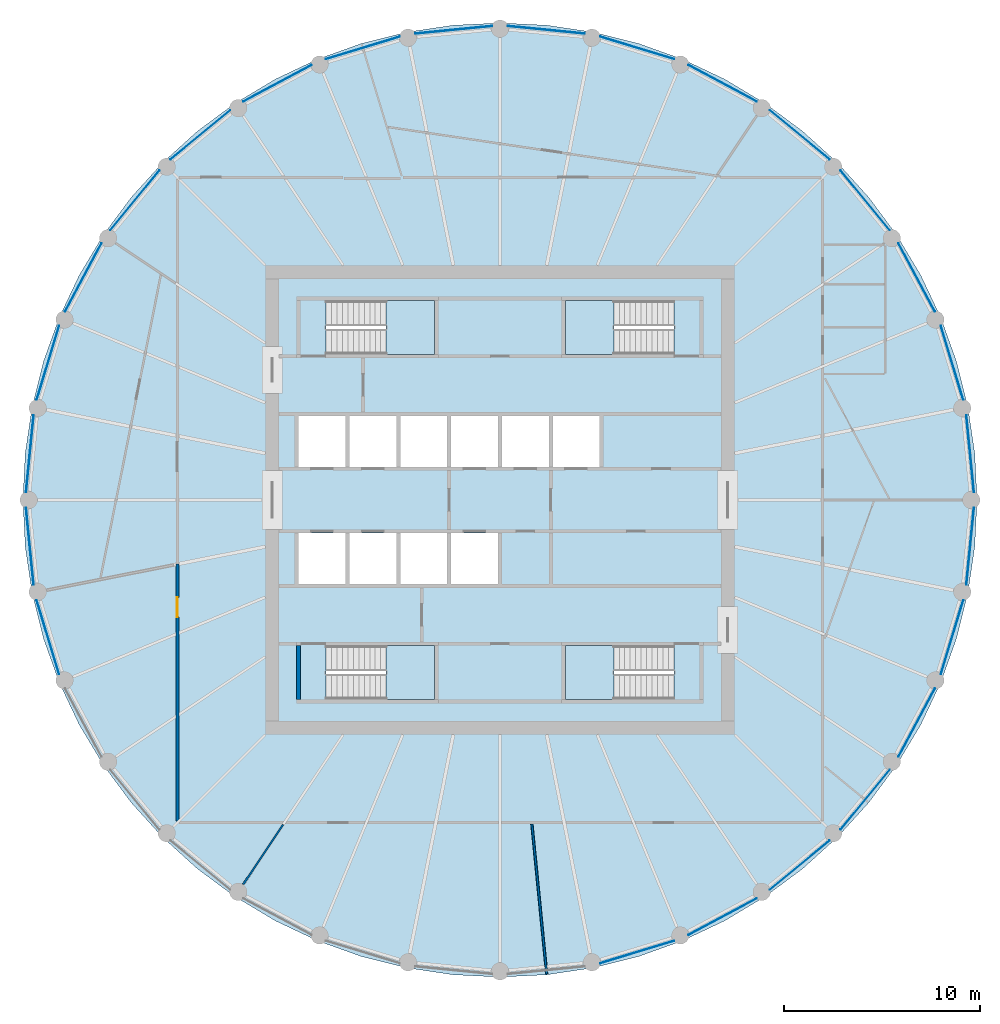
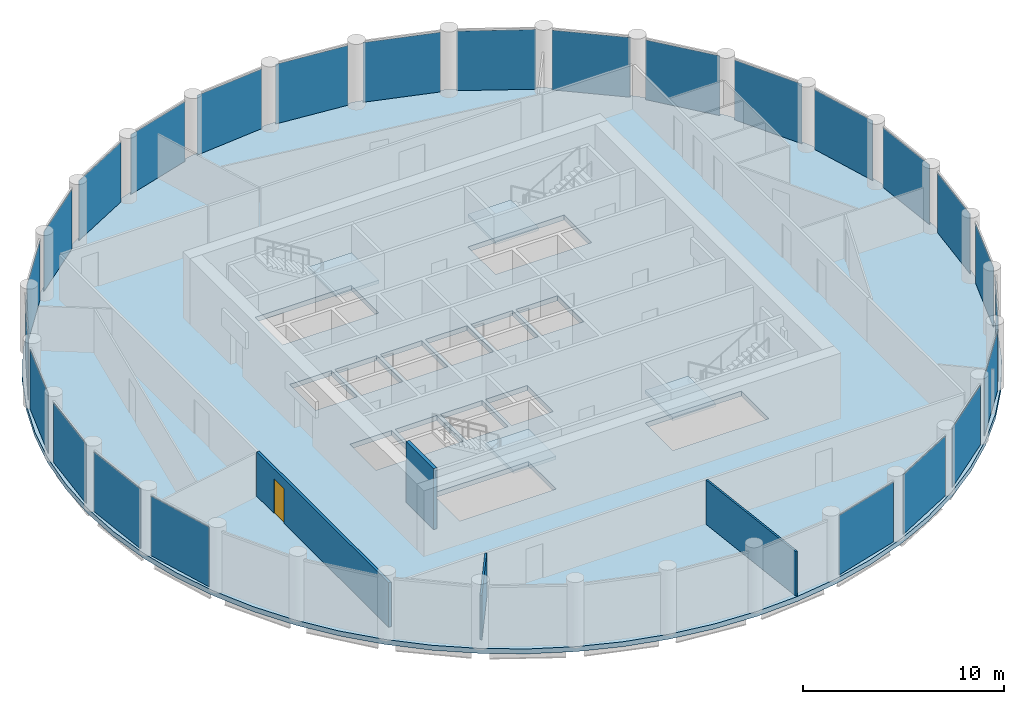
# One storey, part 3 of 7: 25 plates, 5 slabs, 4 walls, 1 door, 1 opening, 29 elements without a shape of their own.
"""IFC4 building model written with IfcOpenShell, lengths in metres."""

from ifc_helpers import new_model, si_unit, direction, frame, frame_2d, origin, origin_2d, place, context, subcontext, project, spatial, polyline, rectangle, outline, extrude, material, layer, layer_set, type_object, element, fill, aggregate, save


model = new_model("IFC4")

# Units and contexts
model_context = context("Model", 3, precision=1e-05, world=origin(), true_north=direction((0.0, 1.0)))
body_context = subcontext(model_context, "Body", "Model", "MODEL_VIEW")
ifc_project = project(units=[si_unit("LENGTHUNIT", "METRE"), si_unit("AREAUNIT", "SQUARE_METRE"), si_unit("VOLUMEUNIT", "CUBIC_METRE"), si_unit("PLANEANGLEUNIT", "RADIAN"), si_unit("MASSUNIT", "GRAM", prefix="KILO")], contexts=[model_context])

# Site, building, storey
site_placement = place(None, origin())
site = spatial("IfcSite", under=ifc_project, at=site_placement, CompositionType="ELEMENT")
building_placement = place(site_placement, origin())
building = spatial("IfcBuilding", under=site, at=building_placement, Name="Corvane Civic Tower", CompositionType="ELEMENT")
storey_placement = place(building_placement, frame((0.0, 0.0, 291.0)))
storey = spatial("IfcBuildingStorey", under=building, at=storey_placement, Name="L69", CompositionType="ELEMENT", Elevation=291.0)

# Slab
ifc_material_1 = material(Name="Concrete C40/50", Category="concrete")
ifc_layer_1 = layer(ifc_material_1, 0.300048828125)
ifc_layer_set_1 = layer_set([ifc_layer_1], Name="Concrete C40/50")
slab_type_1 = type_object("IfcSlabType", Name="FLOOR SLAB 300", PredefinedType="FLOOR", material=ifc_layer_set_1)
slab_1_placement = place(storey_placement, frame((0.0, 0.0, -0.300048828125)))
element("IfcSlab", 1, at=slab_1_placement, inside=storey, type_object=slab_type_1, Name="SLB-L69", PredefinedType="FLOOR", context=body_context, shape_type="SweptSolid", body=[
    extrude(outline(polyline([(0.0, 24.39990234375), (-2.3916015625, 24.282470703125), (-4.76025390625, 23.93115234375), (-7.0830078125, 23.349365234375), (-9.33740234375, 22.542724609375), (-11.502197265625, 21.518798828125), (-13.555908203125, 20.287841796875), (-15.479248046875, 18.861572265625), (-17.25341796875, 17.25341796875), (-18.861572265625, 15.479248046875), (-20.287841796875, 13.555908203125), (-21.518798828125, 11.502197265625), (-22.542724609375, 9.33740234375), (-23.349365234375, 7.0830078125), (-23.93115234375, 4.76025390625), (-24.282470703125, 2.3916015625), (-24.39990234375, 0.0), (-24.282470703125, -2.3916015625), (-23.93115234375, -4.76025390625), (-23.349365234375, -7.0830078125), (-22.542724609375, -9.33740234375), (-21.518798828125, -11.502197265625), (-20.287841796875, -13.555908203125), (-18.861572265625, -15.479248046875), (-17.25341796875, -17.25341796875), (-15.479248046875, -18.861572265625), (-13.555908203125, -20.287841796875), (-11.502197265625, -21.518798828125), (-9.33740234375, -22.542724609375), (-7.0830078125, -23.349365234375), (-4.76025390625, -23.93115234375), (-2.3916015625, -24.282470703125), (0.0, -24.39990234375), (2.3916015625, -24.282470703125), (4.76025390625, -23.93115234375), (7.0830078125, -23.349365234375), (9.33740234375, -22.542724609375), (11.502197265625, -21.518798828125), (13.555908203125, -20.287841796875), (15.479248046875, -18.861572265625), (17.25341796875, -17.25341796875), (18.861572265625, -15.479248046875), (20.287841796875, -13.555908203125), (21.518798828125, -11.502197265625), (22.542724609375, -9.33740234375), (23.349365234375, -7.0830078125), (23.93115234375, -4.76025390625), (24.282470703125, -2.3916015625), (24.39990234375, 0.0), (24.282470703125, 2.3916015625), (23.93115234375, 4.76025390625), (23.349365234375, 7.0830078125), (22.542724609375, 9.33740234375), (21.518798828125, 11.502197265625), (20.287841796875, 13.555908203125), (18.861572265625, 15.479248046875), (17.25341796875, 17.25341796875), (15.479248046875, 18.861572265625), (13.555908203125, 20.287841796875), (11.502197265625, 21.518798828125), (9.33740234375, 22.542724609375), (7.0830078125, 23.349365234375), (4.76025390625, 23.93115234375), (2.3916015625, 24.282470703125), (0.0, 24.39990234375)]), holes=[polyline([(-10.300048828125, 4.300048828125), (-7.89990234375, 4.300048828125), (-7.89990234375, 1.699951171875), (-10.300048828125, 1.699951171875), (-10.300048828125, 4.300048828125)]), polyline([(-7.699951171875, 4.300048828125), (-5.300048828125, 4.300048828125), (-5.300048828125, 1.699951171875), (-7.699951171875, 1.699951171875), (-7.699951171875, 4.300048828125)]), polyline([(-5.10009765625, 4.300048828125), (-2.699951171875, 4.300048828125), (-2.699951171875, 1.699951171875), (-5.10009765625, 1.699951171875), (-5.10009765625, 4.300048828125)]), polyline([(-0.10009765625, 1.699951171875), (-2.5, 1.699951171875), (-2.5, 4.300048828125), (-0.10009765625, 4.300048828125), (-0.10009765625, 1.699951171875)]), polyline([(0.10009765625, 4.300048828125), (2.5, 4.300048828125), (2.5, 1.699951171875), (0.10009765625, 1.699951171875), (0.10009765625, 4.300048828125)]), polyline([(2.699951171875, 4.300048828125), (5.10009765625, 4.300048828125), (5.10009765625, 1.699951171875), (2.699951171875, 1.699951171875), (2.699951171875, 4.300048828125)]), polyline([(-10.300048828125, -4.300048828125), (-10.300048828125, -1.699951171875), (-7.89990234375, -1.699951171875), (-7.89990234375, -4.300048828125), (-10.300048828125, -4.300048828125)]), polyline([(-7.699951171875, -4.300048828125), (-7.699951171875, -1.699951171875), (-5.300048828125, -1.699951171875), (-5.300048828125, -4.300048828125), (-7.699951171875, -4.300048828125)]), polyline([(-5.10009765625, -4.300048828125), (-5.10009765625, -1.699951171875), (-2.699951171875, -1.699951171875), (-2.699951171875, -4.300048828125), (-5.10009765625, -4.300048828125)]), polyline([(-0.10009765625, -1.699951171875), (-0.10009765625, -4.300048828125), (-2.5, -4.300048828125), (-2.5, -1.699951171875), (-0.10009765625, -1.699951171875)]), polyline([(8.889892578125, 10.199951171875), (8.889892578125, 7.449951171875), (3.35009765625, 7.449951171875), (3.35009765625, 10.199951171875), (8.889892578125, 10.199951171875)]), polyline([(-8.889892578125, 7.449951171875), (-8.889892578125, 10.199951171875), (-3.35009765625, 10.199951171875), (-3.35009765625, 7.449951171875), (-8.889892578125, 7.449951171875)]), polyline([(8.889892578125, -7.449951171875), (8.889892578125, -10.199951171875), (3.35009765625, -10.199951171875), (3.35009765625, -7.449951171875), (8.889892578125, -7.449951171875)]), polyline([(-8.889892578125, -10.199951171875), (-8.889892578125, -7.449951171875), (-3.35009765625, -7.449951171875), (-3.35009765625, -10.199951171875), (-8.889892578125, -10.199951171875)])]), origin(), (0.0, 0.0, 1.0), 0.300048828125),
])

# Stair, slab
ifc_material_2 = material(Name="Concrete C40/50", Category="concrete")
stair_type = type_object("IfcStairType", Name="ST-STAIR-HALFTURN", PredefinedType="HALF_TURN_STAIR", material=ifc_material_2)
stair_1_placement = place(storey_placement, origin())
stair_1 = element("IfcStair", 2, at=stair_1_placement, inside=storey, type_object=stair_type, Name="L69 Exit stair ST1", PredefinedType="HALF_TURN_STAIR")
ifc_material_3 = material(Name="Concrete C40/50", Category="concrete")
ifc_layer_2 = layer(ifc_material_3, 0.199951171875)
ifc_layer_set_2 = layer_set([ifc_layer_2], Name="Concrete C40/50")
slab_type_2 = type_object("IfcSlabType", Name="ST-LANDING-RC", PredefinedType="LANDING", material=ifc_layer_set_2)
slab_2_placement = place(storey_placement, frame((0.0, 0.0, 1.800048828125)))
slab_2 = element("IfcSlab", 3, at=slab_2_placement, type_object=slab_type_2, Name="ST1 landing 1", PredefinedType="LANDING", context=body_context, shape_type="SweptSolid", body=[
    extrude(outline(polyline([(5.820068359375, 10.199951171875), (3.35009765625, 10.199951171875), (3.35009765625, 7.449951171875), (5.820068359375, 7.449951171875), (5.820068359375, 10.199951171875)])), origin(), (0.0, 0.0, 1.0), 0.199951171875),
])
aggregate(stair_1, [slab_2])

stair_2_placement = place(storey_placement, origin())
stair_2 = element("IfcStair", 4, at=stair_2_placement, inside=storey, type_object=stair_type, Name="L69 Exit stair ST2", PredefinedType="HALF_TURN_STAIR")
slab_3_placement = place(storey_placement, frame((0.0, 0.0, 1.800048828125)))
slab_3 = element("IfcSlab", 5, at=slab_3_placement, type_object=slab_type_2, Name="ST2 landing 1", PredefinedType="LANDING", context=body_context, shape_type="SweptSolid", body=[
    extrude(outline(polyline([(5.820068359375, -7.449951171875), (3.35009765625, -7.449951171875), (3.35009765625, -10.199951171875), (5.820068359375, -10.199951171875), (5.820068359375, -7.449951171875)])), origin(), (0.0, 0.0, 1.0), 0.199951171875),
])
aggregate(stair_2, [slab_3])

stair_3_placement = place(storey_placement, origin())
stair_3 = element("IfcStair", 6, at=stair_3_placement, inside=storey, type_object=stair_type, Name="L69 Exit stair ST3", PredefinedType="HALF_TURN_STAIR")
slab_4_placement = place(storey_placement, frame((0.0, 0.0, 1.800048828125)))
slab_4 = element("IfcSlab", 7, at=slab_4_placement, type_object=slab_type_2, Name="ST3 landing 1", PredefinedType="LANDING", context=body_context, shape_type="SweptSolid", body=[
    extrude(outline(polyline([(-5.820068359375, -10.199951171875), (-3.35009765625, -10.199951171875), (-3.35009765625, -7.449951171875), (-5.820068359375, -7.449951171875), (-5.820068359375, -10.199951171875)])), origin(), (0.0, 0.0, 1.0), 0.199951171875),
])
aggregate(stair_3, [slab_4])

stair_4_placement = place(storey_placement, origin())
stair_4 = element("IfcStair", 8, at=stair_4_placement, inside=storey, type_object=stair_type, Name="L69 Exit stair ST4", PredefinedType="HALF_TURN_STAIR")
slab_5_placement = place(storey_placement, frame((0.0, 0.0, 1.800048828125)))
slab_5 = element("IfcSlab", 9, at=slab_5_placement, type_object=slab_type_2, Name="ST4 landing 1", PredefinedType="LANDING", context=body_context, shape_type="SweptSolid", body=[
    extrude(outline(polyline([(-5.820068359375, 7.449951171875), (-3.35009765625, 7.449951171875), (-3.35009765625, 10.199951171875), (-5.820068359375, 10.199951171875), (-5.820068359375, 7.449951171875)])), origin(), (0.0, 0.0, 1.0), 0.199951171875),
])
aggregate(stair_4, [slab_5])

# Curtain wall, plate
ifc_material_4 = material(Name="Anodised aluminium bronze", Category="aluminium")
curtain_wall_type = type_object("IfcCurtainWallType", Name="TOWER CW-T3 STICK CURTAIN WALL", PredefinedType="NOTDEFINED", material=ifc_material_4)
curtain_wall_1_placement = place(storey_placement, origin())
curtain_wall_1 = element("IfcCurtainWall", 10, at=curtain_wall_1_placement, inside=storey, type_object=curtain_wall_type, Name="Curtain wall CW-T3 L69 bay 01", PredefinedType="NOTDEFINED")
ifc_material_5 = material(Name="Tinted glass", Category="glass")
ifc_layer_3 = layer(ifc_material_5, 0.028076171875)
ifc_layer_set_3 = layer_set([ifc_layer_3], Name="Tinted glass")
plate_type = type_object("IfcPlateType", Name="TOWER CW-T3 PANEL IGU28", PredefinedType="CURTAIN_PANEL", material=ifc_layer_set_3)
plate_1_placement = place(storey_placement, frame((2.368408203125, 24.046875, 0.0), z_axis=(0.0, 0.0, 1.0), x_axis=(0.99518437747, -0.098020685775, 0.0)))
plate_1 = element("IfcPlate", 11, at=plate_1_placement, type_object=plate_type, Name="Glass panel CW-T3 L69 01.1", PredefinedType="CURTAIN_PANEL", context=body_context, shape_type="SweptSolid", body=[
    extrude(rectangle(XDim=3.958740234375, YDim=0.028076171875, at=origin_2d()), origin(), (0.0, 0.0, 1.0), 3.6298828125),
])
aggregate(curtain_wall_1, [plate_1])

curtain_wall_2_placement = place(storey_placement, origin())
curtain_wall_2 = element("IfcCurtainWall", 12, at=curtain_wall_2_placement, inside=storey, type_object=curtain_wall_type, Name="Curtain wall CW-T3 L69 bay 02", PredefinedType="NOTDEFINED")
plate_2_placement = place(storey_placement, frame((7.01416015625, 23.12255859375, 0.0), z_axis=(0.0, 0.0, 1.0), x_axis=(0.956943694519, -0.290273604586, 0.0)))
plate_2 = element("IfcPlate", 13, at=plate_2_placement, type_object=plate_type, Name="Glass panel CW-T3 L69 02.1", PredefinedType="CURTAIN_PANEL", context=body_context, shape_type="SweptSolid", body=[
    extrude(rectangle(XDim=3.958984375, YDim=0.028076171875, at=origin_2d()), origin(), (0.0, 0.0, 1.0), 3.6298828125),
])
aggregate(curtain_wall_2, [plate_2])

curtain_wall_3_placement = place(storey_placement, origin())
curtain_wall_3 = element("IfcCurtainWall", 14, at=curtain_wall_3_placement, inside=storey, type_object=curtain_wall_type, Name="Curtain wall CW-T3 L69 bay 03", PredefinedType="NOTDEFINED")
plate_3_placement = place(storey_placement, frame((11.390380859375, 21.31005859375, 0.0), z_axis=(0.0, 0.0, 1.0), x_axis=(0.881908138655, -0.471421292448, 0.0)))
plate_3 = element("IfcPlate", 15, at=plate_3_placement, type_object=plate_type, Name="Glass panel CW-T3 L69 03.1", PredefinedType="CURTAIN_PANEL", context=body_context, shape_type="SweptSolid", body=[
    extrude(rectangle(XDim=3.958740234375, YDim=0.028076171875, at=origin_2d()), origin(), (0.0, 0.0, 1.0), 3.6298828125),
])
aggregate(curtain_wall_3, [plate_3])

curtain_wall_4_placement = place(storey_placement, origin())
curtain_wall_4 = element("IfcCurtainWall", 16, at=curtain_wall_4_placement, inside=storey, type_object=curtain_wall_type, Name="Curtain wall CW-T3 L69 bay 04", PredefinedType="NOTDEFINED")
plate_4_placement = place(storey_placement, frame((15.328857421875, 18.67822265625, 0.0), z_axis=(0.0, 0.0, 1.0), x_axis=(0.773001130565, -0.634404643855, 0.0)))
plate_4 = element("IfcPlate", 17, at=plate_4_placement, type_object=plate_type, Name="Glass panel CW-T3 L69 04.1", PredefinedType="CURTAIN_PANEL", context=body_context, shape_type="SweptSolid", body=[
    extrude(rectangle(XDim=3.958740234375, YDim=0.028076171875, at=origin_2d()), origin(), (0.0, 0.0, 1.0), 3.6298828125),
])
aggregate(curtain_wall_4, [plate_4])

curtain_wall_5_placement = place(storey_placement, origin())
curtain_wall_5 = element("IfcCurtainWall", 18, at=curtain_wall_5_placement, inside=storey, type_object=curtain_wall_type, Name="Curtain wall CW-T3 L69 bay 05", PredefinedType="NOTDEFINED")
plate_5_placement = place(storey_placement, frame((18.67822265625, 15.328857421875, 0.0), z_axis=(0.0, 0.0, 1.0), x_axis=(0.634404643855, -0.773001130565, 0.0)))
plate_5 = element("IfcPlate", 19, at=plate_5_placement, type_object=plate_type, Name="Glass panel CW-T3 L69 05.1", PredefinedType="CURTAIN_PANEL", context=body_context, shape_type="SweptSolid", body=[
    extrude(rectangle(XDim=3.958740234375, YDim=0.028076171875, at=origin_2d()), origin(), (0.0, 0.0, 1.0), 3.6298828125),
])
aggregate(curtain_wall_5, [plate_5])

curtain_wall_6_placement = place(storey_placement, origin())
curtain_wall_6 = element("IfcCurtainWall", 20, at=curtain_wall_6_placement, inside=storey, type_object=curtain_wall_type, Name="Curtain wall CW-T3 L69 bay 06", PredefinedType="NOTDEFINED")
plate_6_placement = place(storey_placement, frame((21.31005859375, 11.390380859375, 0.0), z_axis=(0.0, 0.0, 1.0), x_axis=(0.471421292448, -0.881908138655, 0.0)))
plate_6 = element("IfcPlate", 21, at=plate_6_placement, type_object=plate_type, Name="Glass panel CW-T3 L69 06.1", PredefinedType="CURTAIN_PANEL", context=body_context, shape_type="SweptSolid", body=[
    extrude(rectangle(XDim=3.958740234375, YDim=0.028076171875, at=origin_2d()), origin(), (0.0, 0.0, 1.0), 3.6298828125),
])
aggregate(curtain_wall_6, [plate_6])

curtain_wall_7_placement = place(storey_placement, origin())
curtain_wall_7 = element("IfcCurtainWall", 22, at=curtain_wall_7_placement, inside=storey, type_object=curtain_wall_type, Name="Curtain wall CW-T3 L69 bay 07", PredefinedType="NOTDEFINED")
plate_7_placement = place(storey_placement, frame((23.12255859375, 7.01416015625, 0.0), z_axis=(0.0, 0.0, 1.0), x_axis=(0.290273604586, -0.956943694519, 0.0)))
plate_7 = element("IfcPlate", 23, at=plate_7_placement, type_object=plate_type, Name="Glass panel CW-T3 L69 07.1", PredefinedType="CURTAIN_PANEL", context=body_context, shape_type="SweptSolid", body=[
    extrude(rectangle(XDim=3.958984375, YDim=0.028076171875, at=origin_2d()), origin(), (0.0, 0.0, 1.0), 3.6298828125),
])
aggregate(curtain_wall_7, [plate_7])

curtain_wall_8_placement = place(storey_placement, origin())
curtain_wall_8 = element("IfcCurtainWall", 24, at=curtain_wall_8_placement, inside=storey, type_object=curtain_wall_type, Name="Curtain wall CW-T3 L69 bay 08", PredefinedType="NOTDEFINED")
plate_8_placement = place(storey_placement, frame((24.046875, 2.368408203125, 0.0), z_axis=(0.0, 0.0, 1.0), x_axis=(0.098020685775, -0.99518437747, 0.0)))
plate_8 = element("IfcPlate", 25, at=plate_8_placement, type_object=plate_type, Name="Glass panel CW-T3 L69 08.1", PredefinedType="CURTAIN_PANEL", context=body_context, shape_type="SweptSolid", body=[
    extrude(rectangle(XDim=3.958740234375, YDim=0.028076171875, at=origin_2d()), origin(), (0.0, 0.0, 1.0), 3.6298828125),
])
aggregate(curtain_wall_8, [plate_8])

curtain_wall_9_placement = place(storey_placement, origin())
curtain_wall_9 = element("IfcCurtainWall", 26, at=curtain_wall_9_placement, inside=storey, type_object=curtain_wall_type, Name="Curtain wall CW-T3 L69 bay 09", PredefinedType="NOTDEFINED")
plate_9_placement = place(storey_placement, frame((24.046875, -2.368408203125, 0.0), z_axis=(0.0, 0.0, 1.0), x_axis=(-0.098020685775, -0.99518437747, 0.0)))
plate_9 = element("IfcPlate", 27, at=plate_9_placement, type_object=plate_type, Name="Glass panel CW-T3 L69 09.1", PredefinedType="CURTAIN_PANEL", context=body_context, shape_type="SweptSolid", body=[
    extrude(rectangle(XDim=3.958740234375, YDim=0.028076171875, at=origin_2d()), origin(), (0.0, 0.0, 1.0), 3.6298828125),
])
aggregate(curtain_wall_9, [plate_9])

curtain_wall_10_placement = place(storey_placement, origin())
curtain_wall_10 = element("IfcCurtainWall", 28, at=curtain_wall_10_placement, inside=storey, type_object=curtain_wall_type, Name="Curtain wall CW-T3 L69 bay 10", PredefinedType="NOTDEFINED")
plate_10_placement = place(storey_placement, frame((23.12255859375, -7.01416015625, 0.0), z_axis=(0.0, 0.0, 1.0), x_axis=(-0.290273604586, -0.956943694519, 0.0)))
plate_10 = element("IfcPlate", 29, at=plate_10_placement, type_object=plate_type, Name="Glass panel CW-T3 L69 10.1", PredefinedType="CURTAIN_PANEL", context=body_context, shape_type="SweptSolid", body=[
    extrude(rectangle(XDim=3.958984375, YDim=0.028076171875, at=origin_2d()), origin(), (0.0, 0.0, 1.0), 3.6298828125),
])
aggregate(curtain_wall_10, [plate_10])

curtain_wall_11_placement = place(storey_placement, origin())
curtain_wall_11 = element("IfcCurtainWall", 30, at=curtain_wall_11_placement, inside=storey, type_object=curtain_wall_type, Name="Curtain wall CW-T3 L69 bay 11", PredefinedType="NOTDEFINED")
plate_11_placement = place(storey_placement, frame((21.31005859375, -11.390380859375, 0.0), z_axis=(0.0, 0.0, 1.0), x_axis=(-0.471421292448, -0.881908138655, 0.0)))
plate_11 = element("IfcPlate", 31, at=plate_11_placement, type_object=plate_type, Name="Glass panel CW-T3 L69 11.1", PredefinedType="CURTAIN_PANEL", context=body_context, shape_type="SweptSolid", body=[
    extrude(rectangle(XDim=3.958740234375, YDim=0.028076171875, at=origin_2d()), origin(), (0.0, 0.0, 1.0), 3.6298828125),
])
aggregate(curtain_wall_11, [plate_11])

curtain_wall_12_placement = place(storey_placement, origin())
curtain_wall_12 = element("IfcCurtainWall", 32, at=curtain_wall_12_placement, inside=storey, type_object=curtain_wall_type, Name="Curtain wall CW-T3 L69 bay 12", PredefinedType="NOTDEFINED")
plate_12_placement = place(storey_placement, frame((18.67822265625, -15.328857421875, 0.0), z_axis=(0.0, 0.0, 1.0), x_axis=(-0.634404643855, -0.773001130565, 0.0)))
plate_12 = element("IfcPlate", 33, at=plate_12_placement, type_object=plate_type, Name="Glass panel CW-T3 L69 12.1", PredefinedType="CURTAIN_PANEL", context=body_context, shape_type="SweptSolid", body=[
    extrude(rectangle(XDim=3.958740234375, YDim=0.028076171875, at=origin_2d()), origin(), (0.0, 0.0, 1.0), 3.6298828125),
])
aggregate(curtain_wall_12, [plate_12])

curtain_wall_13_placement = place(storey_placement, origin())
curtain_wall_13 = element("IfcCurtainWall", 34, at=curtain_wall_13_placement, inside=storey, type_object=curtain_wall_type, Name="Curtain wall CW-T3 L69 bay 13", PredefinedType="NOTDEFINED")
plate_13_placement = place(storey_placement, frame((15.328857421875, -18.67822265625, 0.0), z_axis=(0.0, 0.0, 1.0), x_axis=(-0.773001130565, -0.634404643855, 0.0)))
plate_13 = element("IfcPlate", 35, at=plate_13_placement, type_object=plate_type, Name="Glass panel CW-T3 L69 13.1", PredefinedType="CURTAIN_PANEL", context=body_context, shape_type="SweptSolid", body=[
    extrude(rectangle(XDim=3.958740234375, YDim=0.028076171875, at=origin_2d()), origin(), (0.0, 0.0, 1.0), 3.6298828125),
])
aggregate(curtain_wall_13, [plate_13])

curtain_wall_14_placement = place(storey_placement, origin())
curtain_wall_14 = element("IfcCurtainWall", 36, at=curtain_wall_14_placement, inside=storey, type_object=curtain_wall_type, Name="Curtain wall CW-T3 L69 bay 14", PredefinedType="NOTDEFINED")
plate_14_placement = place(storey_placement, frame((11.390380859375, -21.31005859375, 0.0), z_axis=(0.0, 0.0, 1.0), x_axis=(-0.881908138655, -0.471421292448, 0.0)))
plate_14 = element("IfcPlate", 37, at=plate_14_placement, type_object=plate_type, Name="Glass panel CW-T3 L69 14.1", PredefinedType="CURTAIN_PANEL", context=body_context, shape_type="SweptSolid", body=[
    extrude(rectangle(XDim=3.958740234375, YDim=0.028076171875, at=origin_2d()), origin(), (0.0, 0.0, 1.0), 3.6298828125),
])
aggregate(curtain_wall_14, [plate_14])

curtain_wall_15_placement = place(storey_placement, origin())
curtain_wall_15 = element("IfcCurtainWall", 38, at=curtain_wall_15_placement, inside=storey, type_object=curtain_wall_type, Name="Curtain wall CW-T3 L69 bay 15", PredefinedType="NOTDEFINED")
plate_15_placement = place(storey_placement, frame((7.01416015625, -23.12255859375, 0.0), z_axis=(0.0, 0.0, 1.0), x_axis=(-0.956943694519, -0.290273604586, 0.0)))
plate_15 = element("IfcPlate", 39, at=plate_15_placement, type_object=plate_type, Name="Glass panel CW-T3 L69 15.1", PredefinedType="CURTAIN_PANEL", context=body_context, shape_type="SweptSolid", body=[
    extrude(rectangle(XDim=3.958984375, YDim=0.028076171875, at=origin_2d()), origin(), (0.0, 0.0, 1.0), 3.6298828125),
])
aggregate(curtain_wall_15, [plate_15])

curtain_wall_16_placement = place(storey_placement, origin())
curtain_wall_16 = element("IfcCurtainWall", 40, at=curtain_wall_16_placement, inside=storey, type_object=curtain_wall_type, Name="Curtain wall CW-T3 L69 bay 23", PredefinedType="NOTDEFINED")
plate_16_placement = place(storey_placement, frame((-23.12255859375, -7.01416015625, 0.0), z_axis=(0.0, 0.0, 1.0), x_axis=(-0.290273604586, 0.956943694519, 0.0)))
plate_16 = element("IfcPlate", 41, at=plate_16_placement, type_object=plate_type, Name="Glass panel CW-T3 L69 23.1", PredefinedType="CURTAIN_PANEL", context=body_context, shape_type="SweptSolid", body=[
    extrude(rectangle(XDim=3.958984375, YDim=0.028076171875, at=origin_2d()), origin(), (0.0, 0.0, 1.0), 3.6298828125),
])
aggregate(curtain_wall_16, [plate_16])

curtain_wall_17_placement = place(storey_placement, origin())
curtain_wall_17 = element("IfcCurtainWall", 42, at=curtain_wall_17_placement, inside=storey, type_object=curtain_wall_type, Name="Curtain wall CW-T3 L69 bay 24", PredefinedType="NOTDEFINED")
plate_17_placement = place(storey_placement, frame((-24.046875, -2.368408203125, 0.0), z_axis=(0.0, 0.0, 1.0), x_axis=(-0.098020685775, 0.99518437747, 0.0)))
plate_17 = element("IfcPlate", 43, at=plate_17_placement, type_object=plate_type, Name="Glass panel CW-T3 L69 24.1", PredefinedType="CURTAIN_PANEL", context=body_context, shape_type="SweptSolid", body=[
    extrude(rectangle(XDim=3.958740234375, YDim=0.028076171875, at=origin_2d()), origin(), (0.0, 0.0, 1.0), 3.6298828125),
])
aggregate(curtain_wall_17, [plate_17])

curtain_wall_18_placement = place(storey_placement, origin())
curtain_wall_18 = element("IfcCurtainWall", 44, at=curtain_wall_18_placement, inside=storey, type_object=curtain_wall_type, Name="Curtain wall CW-T3 L69 bay 25", PredefinedType="NOTDEFINED")
plate_18_placement = place(storey_placement, frame((-24.046875, 2.368408203125, 0.0), z_axis=(0.0, 0.0, 1.0), x_axis=(0.098020685775, 0.99518437747, 0.0)))
plate_18 = element("IfcPlate", 45, at=plate_18_placement, type_object=plate_type, Name="Glass panel CW-T3 L69 25.1", PredefinedType="CURTAIN_PANEL", context=body_context, shape_type="SweptSolid", body=[
    extrude(rectangle(XDim=3.958740234375, YDim=0.028076171875, at=origin_2d()), origin(), (0.0, 0.0, 1.0), 3.6298828125),
])
aggregate(curtain_wall_18, [plate_18])

curtain_wall_19_placement = place(storey_placement, origin())
curtain_wall_19 = element("IfcCurtainWall", 46, at=curtain_wall_19_placement, inside=storey, type_object=curtain_wall_type, Name="Curtain wall CW-T3 L69 bay 26", PredefinedType="NOTDEFINED")
plate_19_placement = place(storey_placement, frame((-23.12255859375, 7.01416015625, 0.0), z_axis=(0.0, 0.0, 1.0), x_axis=(0.290273604586, 0.956943694519, 0.0)))
plate_19 = element("IfcPlate", 47, at=plate_19_placement, type_object=plate_type, Name="Glass panel CW-T3 L69 26.1", PredefinedType="CURTAIN_PANEL", context=body_context, shape_type="SweptSolid", body=[
    extrude(rectangle(XDim=3.958984375, YDim=0.028076171875, at=origin_2d()), origin(), (0.0, 0.0, 1.0), 3.6298828125),
])
aggregate(curtain_wall_19, [plate_19])

curtain_wall_20_placement = place(storey_placement, origin())
curtain_wall_20 = element("IfcCurtainWall", 48, at=curtain_wall_20_placement, inside=storey, type_object=curtain_wall_type, Name="Curtain wall CW-T3 L69 bay 27", PredefinedType="NOTDEFINED")
plate_20_placement = place(storey_placement, frame((-21.31005859375, 11.390380859375, 0.0), z_axis=(0.0, 0.0, 1.0), x_axis=(0.471421292448, 0.881908138655, 0.0)))
plate_20 = element("IfcPlate", 49, at=plate_20_placement, type_object=plate_type, Name="Glass panel CW-T3 L69 27.1", PredefinedType="CURTAIN_PANEL", context=body_context, shape_type="SweptSolid", body=[
    extrude(rectangle(XDim=3.958740234375, YDim=0.028076171875, at=origin_2d()), origin(), (0.0, 0.0, 1.0), 3.6298828125),
])
aggregate(curtain_wall_20, [plate_20])

curtain_wall_21_placement = place(storey_placement, origin())
curtain_wall_21 = element("IfcCurtainWall", 50, at=curtain_wall_21_placement, inside=storey, type_object=curtain_wall_type, Name="Curtain wall CW-T3 L69 bay 28", PredefinedType="NOTDEFINED")
plate_21_placement = place(storey_placement, frame((-18.67822265625, 15.328857421875, 0.0), z_axis=(0.0, 0.0, 1.0), x_axis=(0.634404643855, 0.773001130565, 0.0)))
plate_21 = element("IfcPlate", 51, at=plate_21_placement, type_object=plate_type, Name="Glass panel CW-T3 L69 28.1", PredefinedType="CURTAIN_PANEL", context=body_context, shape_type="SweptSolid", body=[
    extrude(rectangle(XDim=3.958740234375, YDim=0.028076171875, at=origin_2d()), origin(), (0.0, 0.0, 1.0), 3.6298828125),
])
aggregate(curtain_wall_21, [plate_21])

curtain_wall_22_placement = place(storey_placement, origin())
curtain_wall_22 = element("IfcCurtainWall", 52, at=curtain_wall_22_placement, inside=storey, type_object=curtain_wall_type, Name="Curtain wall CW-T3 L69 bay 29", PredefinedType="NOTDEFINED")
plate_22_placement = place(storey_placement, frame((-15.328857421875, 18.67822265625, 0.0), z_axis=(0.0, 0.0, 1.0), x_axis=(0.773001130565, 0.634404643855, 0.0)))
plate_22 = element("IfcPlate", 53, at=plate_22_placement, type_object=plate_type, Name="Glass panel CW-T3 L69 29.1", PredefinedType="CURTAIN_PANEL", context=body_context, shape_type="SweptSolid", body=[
    extrude(rectangle(XDim=3.958740234375, YDim=0.028076171875, at=origin_2d()), origin(), (0.0, 0.0, 1.0), 3.6298828125),
])
aggregate(curtain_wall_22, [plate_22])

curtain_wall_23_placement = place(storey_placement, origin())
curtain_wall_23 = element("IfcCurtainWall", 54, at=curtain_wall_23_placement, inside=storey, type_object=curtain_wall_type, Name="Curtain wall CW-T3 L69 bay 30", PredefinedType="NOTDEFINED")
plate_23_placement = place(storey_placement, frame((-11.390380859375, 21.31005859375, 0.0), z_axis=(0.0, 0.0, 1.0), x_axis=(0.881908138655, 0.471421292448, 0.0)))
plate_23 = element("IfcPlate", 55, at=plate_23_placement, type_object=plate_type, Name="Glass panel CW-T3 L69 30.1", PredefinedType="CURTAIN_PANEL", context=body_context, shape_type="SweptSolid", body=[
    extrude(rectangle(XDim=3.958740234375, YDim=0.028076171875, at=origin_2d()), origin(), (0.0, 0.0, 1.0), 3.6298828125),
])
aggregate(curtain_wall_23, [plate_23])

curtain_wall_24_placement = place(storey_placement, origin())
curtain_wall_24 = element("IfcCurtainWall", 56, at=curtain_wall_24_placement, inside=storey, type_object=curtain_wall_type, Name="Curtain wall CW-T3 L69 bay 31", PredefinedType="NOTDEFINED")
plate_24_placement = place(storey_placement, frame((-7.01416015625, 23.12255859375, 0.0), z_axis=(0.0, 0.0, 1.0), x_axis=(0.956943694519, 0.290273604586, 0.0)))
plate_24 = element("IfcPlate", 57, at=plate_24_placement, type_object=plate_type, Name="Glass panel CW-T3 L69 31.1", PredefinedType="CURTAIN_PANEL", context=body_context, shape_type="SweptSolid", body=[
    extrude(rectangle(XDim=3.958984375, YDim=0.028076171875, at=origin_2d()), origin(), (0.0, 0.0, 1.0), 3.6298828125),
])
aggregate(curtain_wall_24, [plate_24])

curtain_wall_25_placement = place(storey_placement, origin())
curtain_wall_25 = element("IfcCurtainWall", 58, at=curtain_wall_25_placement, inside=storey, type_object=curtain_wall_type, Name="Curtain wall CW-T3 L69 bay 32", PredefinedType="NOTDEFINED")
plate_25_placement = place(storey_placement, frame((-2.368408203125, 24.046875, 0.0), z_axis=(0.0, 0.0, 1.0), x_axis=(0.99518437747, 0.098020685775, 0.0)))
plate_25 = element("IfcPlate", 59, at=plate_25_placement, type_object=plate_type, Name="Glass panel CW-T3 L69 32.1", PredefinedType="CURTAIN_PANEL", context=body_context, shape_type="SweptSolid", body=[
    extrude(rectangle(XDim=3.958740234375, YDim=0.028076171875, at=origin_2d()), origin(), (0.0, 0.0, 1.0), 3.6298828125),
])
aggregate(curtain_wall_25, [plate_25])

# Walls
ifc_material_6 = material(Name="Plasterboard")
ifc_layer_4 = layer(ifc_material_6, 0.10009765625)
ifc_layer_set_4 = layer_set([ifc_layer_4], Name="Plasterboard")
wall_type_1 = type_object("IfcWallType", Name="Partition 100 plasterboard on studs", PredefinedType="PARTITIONING", material=ifc_layer_set_4)
wall_1_placement = place(storey_placement, frame((1.633056640625, -16.579833984375, 0.0), z_axis=(0.0, 0.0, 1.0), x_axis=(0.098004248276, -0.995185996344, 0.0)))
element("IfcWall", 60, at=wall_1_placement, inside=storey, type_object=wall_type_1, Name="Partition L69.001", PredefinedType="PARTITIONING", context=body_context, shape_type="SweptSolid", body=[
    extrude(rectangle(XDim=7.690185546875, YDim=0.10009765625, at=frame_2d((3.84521484375, 0.0))), origin(), (0.0, 0.0, 1.0), 2.699951171875),
])
wall_2_placement = place(storey_placement, frame((-13.133544921875, -19.656005859375, 0.0), z_axis=(0.0, 0.0, 1.0), x_axis=(0.555559107402, 0.831477046095, 0.0)))
element("IfcWall", 61, at=wall_2_placement, inside=storey, type_object=wall_type_1, Name="Partition L69.002", PredefinedType="PARTITIONING", context=body_context, shape_type="SweptSolid", body=[
    extrude(rectangle(XDim=3.672119140625, YDim=0.10009765625, at=frame_2d((1.8359375, 0.0))), origin(), (0.0, 0.0, 1.0), 2.699951171875),
])
ifc_material_7 = material(Name="Concrete C50/60", Category="concrete")
ifc_layer_5 = layer(ifc_material_7, 0.199951171875)
ifc_layer_set_5 = layer_set([ifc_layer_5], Name="Concrete C50/60")
wall_type_2 = type_object("IfcWallType", Name="ST-WALL-200", PredefinedType="SHEAR", material=ifc_layer_set_5)
wall_3_placement = place(storey_placement, origin())
element("IfcWall", 62, at=wall_3_placement, inside=storey, type_object=wall_type_2, Name="L69 stair enclosure wall", PredefinedType="SHEAR", context=body_context, shape_type="SweptSolid", body=[
    extrude(outline(polyline([(-10.199951171875, -7.449951171875), (-10.199951171875, -10.199951171875), (-10.39990234375, -10.199951171875), (-10.39990234375, -7.449951171875), (-10.199951171875, -7.449951171875)])), origin(), (0.0, 0.0, 1.0), 3.699951171875),
])

# Wall, opening, door
ifc_material_8 = material(Name="Plasterboard")
ifc_layer_6 = layer(ifc_material_8, 0.14990234375)
ifc_layer_set_6 = layer_set([ifc_layer_6], Name="Plasterboard")
wall_type_3 = type_object("IfcWallType", Name="Tenancy wall 150 EI 60", PredefinedType="PARTITIONING", material=ifc_layer_set_6)
wall_4_placement = place(storey_placement, frame((-16.5, -16.425048828125, 0.0), z_axis=(0.0, 0.0, 1.0), x_axis=(0.0, 1.0, 0.0)))
wall_4 = element("IfcWall", 63, at=wall_4_placement, inside=storey, type_object=wall_type_3, Name="Partition L69.004", PredefinedType="PARTITIONING", context=body_context, shape_type="SweptSolid", body=[
    extrude(rectangle(XDim=13.14306640625, YDim=0.14990234375, at=frame_2d((6.571533203125, 0.0))), origin(), (0.0, 0.0, 1.0), 2.699951171875),
])
opening_placement = place(wall_4_placement, frame((10.4384765625, 0.0, 0.0)))
opening = element("IfcOpeningElement", 64, at=opening_placement, cuts=wall_4, Name="Opening L69.010", PredefinedType="OPENING", context=body_context, shape_type="SweptSolid", body=[
    extrude(rectangle(XDim=1.0, YDim=2.10009765625, at=frame_2d((0.5, 1.050048828125))), frame((0.0, 0.0849609375, 0.0), z_axis=(0.0, -1.0, 0.0), x_axis=(1.0, 0.0, 0.0)), (0.0, 0.0, 1.0), 0.169921875),
])
ifc_material_9 = material(Name="Steel and timber", Category="steel")
door_type = type_object("IfcDoorType", Name="Fire door FD30S 1000", OperationType="NOTDEFINED", PredefinedType="DOOR", material=ifc_material_9)
door_placement = place(opening_placement, origin())
door = element("IfcDoor", 65, at=door_placement, inside=storey, type_object=door_type, Name="Door L69.010", OperationType="SINGLE_SWING_RIGHT", OverallHeight=2.10009765625, OverallWidth=1.0, PredefinedType="DOOR", context=body_context, shape_type="SweptSolid", body=[
    extrude(rectangle(XDim=1.0, YDim=2.10009765625, at=frame_2d((0.5, 1.050048828125))), frame((0.0, 0.02490234375, 0.0), z_axis=(0.0, -1.0, 0.0), x_axis=(1.0, 0.0, 0.0)), (0.0, 0.0, 1.0), 0.050048828125),
])
fill(opening, door)

save(model, "model.ifc")
